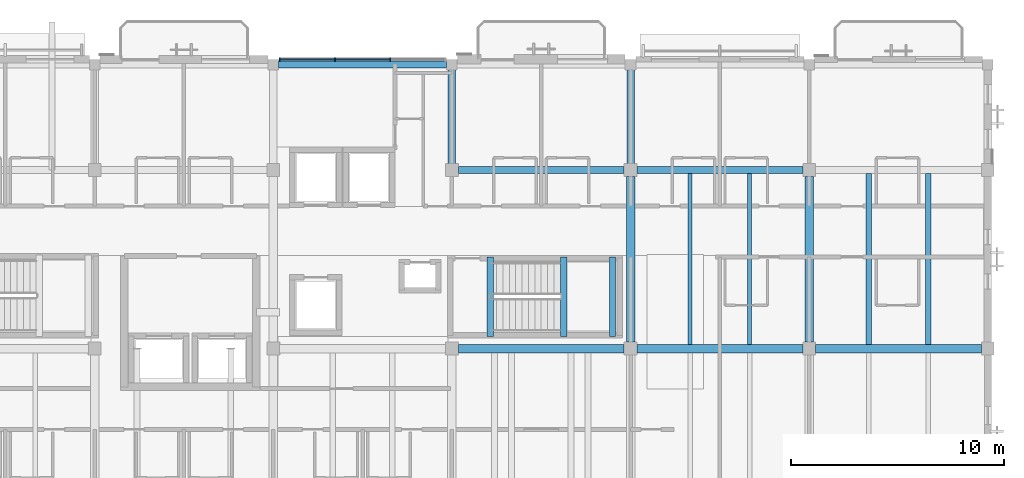
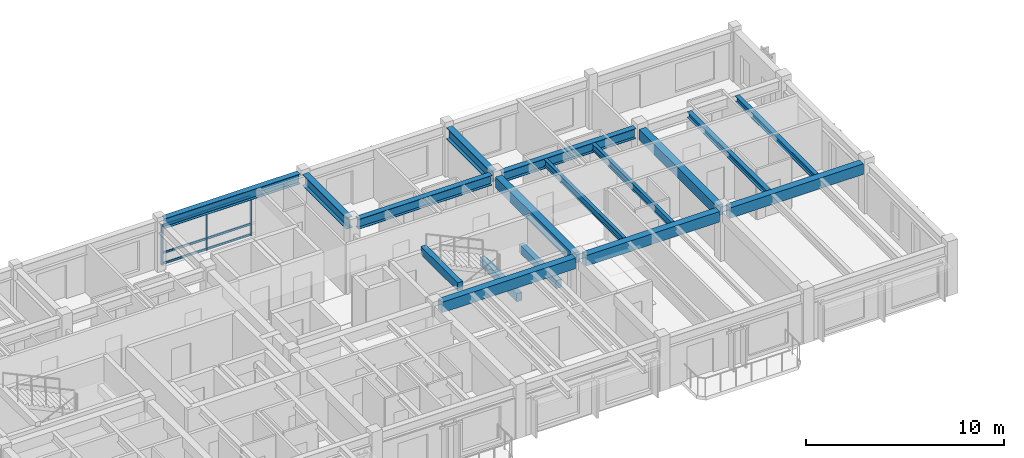
# One storey, part 3 of 31: 17 beams, 9 members, 1 element without a shape of its own.
"""IFC4 building model written with IfcOpenShell, lengths in metres."""

import ifcopenshell
import ifcopenshell.guid

model = None  # the IFC model being written
_history = None  # IfcOwnerHistory: only IFC2X3 demands one
_inside = {}  # id of a spatial element -> (the spatial element, [elements in it])
_under = {}  # id of a project, library or spatial element -> (it, [spatial elements below it])
_declared = {}  # id of a project -> (the project, [libraries it declares])
_typed = {}  # id of a type object -> (the type object, [elements of that type])
_made_of = {}  # id of a material, layer set ... -> (it, [elements and type objects made of it])


def new_model(schema):
    """Start an empty IFC model of exactly this schema.

    Asked for "IFC4X3", IfcOpenShell would pick the latest addendum, in which some entities
    have other attributes; the version numbers below select the first issue.
    IFC2X3 requires an IfcOwnerHistory on every rooted entity: one is made here for all.
    """
    global model, _history
    if schema == "IFC4X3":
        model = ifcopenshell.file(schema_version=(4, 3, 0, 0))
    else:
        model = ifcopenshell.file(schema=schema)
    _inside.clear()
    _under.clear()
    _declared.clear()
    _typed.clear()
    _made_of.clear()
    _history = None
    if model.schema == "IFC2X3":
        org = make("IfcOrganization", Name="unknown")
        user = make(
            "IfcPersonAndOrganization",
            ThePerson=make("IfcPerson", FamilyName="unknown"),
            TheOrganization=org,
        )
        app = make(
            "IfcApplication",
            ApplicationDeveloper=org,
            Version="unknown",
            ApplicationFullName="unknown",
            ApplicationIdentifier="unknown",
        )
        _history = make(
            "IfcOwnerHistory",
            OwningUser=user,
            OwningApplication=app,
            ChangeAction="ADDED",
            CreationDate=0,
        )
    return model


def make(cls, **values):
    """One entity of the class cls with the attributes given. An attribute that is None is left unset."""
    return model.create_entity(
        cls, **{name: value for name, value in values.items() if value is not None}
    )


def rooted(cls, **values):
    """An entity with a GlobalId (a new one), such as an element, a storey or a relation."""
    return make(cls, GlobalId=ifcopenshell.guid.new(), OwnerHistory=_history, **values)


def si_unit(unit_type, name, prefix=None):
    """IfcSIUnit, for example si_unit("LENGTHUNIT", "METRE", prefix="MILLI")."""
    return make("IfcSIUnit", UnitType=unit_type, Prefix=prefix, Name=name)


def assignment(units):
    """IfcUnitAssignment: the units of a project."""
    return None if units is None else make("IfcUnitAssignment", Units=units)


def point(xyz):
    """IfcCartesianPoint."""
    return None if xyz is None else make("IfcCartesianPoint", Coordinates=xyz)


def direction(xyz):
    """IfcDirection."""
    return None if xyz is None else make("IfcDirection", DirectionRatios=xyz)


def frame(location, z_axis=None, x_axis=None):
    """IfcAxis2Placement3D, a coordinate frame: its origin and axes. An axis left out is left unset."""
    return make(
        "IfcAxis2Placement3D",
        Location=point(location),
        Axis=direction(z_axis),
        RefDirection=direction(x_axis),
    )


def frame_2d(location, x_axis=None):
    """IfcAxis2Placement2D, a coordinate frame in the plane: its origin and x axis."""
    return make(
        "IfcAxis2Placement2D", Location=point(location), RefDirection=direction(x_axis)
    )


def origin():
    """The frame at (0, 0, 0) with its axes left unset."""
    return frame((0.0, 0.0, 0.0))


def origin_2d():
    """The frame at (0, 0) in the plane with its x axis left unset."""
    return frame_2d((0.0, 0.0))


def place(relative_to, where):
    """IfcLocalPlacement: puts the frame where relative to a parent placement (None: the world)."""
    return make(
        "IfcLocalPlacement", PlacementRelTo=relative_to, RelativePlacement=where
    )


def context(
    kind, dimensions, precision=None, world=None, true_north=None, identifier=None
):
    """IfcGeometricRepresentationContext, for example the 3D "Model" context."""
    return make(
        "IfcGeometricRepresentationContext",
        ContextIdentifier=identifier,
        ContextType=kind,
        CoordinateSpaceDimension=dimensions,
        Precision=precision,
        WorldCoordinateSystem=world,
        TrueNorth=true_north,
    )


def subcontext(parent, identifier, kind, view, scale=None):
    """IfcGeometricRepresentationSubContext, for example "Body" below "Model"."""
    return make(
        "IfcGeometricRepresentationSubContext",
        ContextIdentifier=identifier,
        ContextType=kind,
        ParentContext=parent,
        TargetScale=scale,
        TargetView=view,
    )


def project(units=None, contexts=None):
    """IfcProject with its units and contexts."""
    return rooted(
        "IfcProject",
        Name="project",
        RepresentationContexts=contexts,
        UnitsInContext=assignment(units),
    )


def spatial(cls, under=None, at=None, **own):
    """A site, building, storey or space (cls), placed at a placement, below another one or the project."""
    s = rooted(cls, ObjectPlacement=at, **own)
    if under is not None:
        _under.setdefault(under.id(), (under, []))[1].append(s)
    return s


def profile(cls, at=None, kind="AREA", **sizes):
    """A parametric profile (cls). Its sizes go by their IFC names, for example OverallWidth=200.0."""
    return make(cls, ProfileType=kind, Position=at, **sizes)


def rectangle(**sizes):
    """IfcRectangleProfileDef."""
    return profile("IfcRectangleProfileDef", **sizes)


def i_section(**sizes):
    """IfcIShapeProfileDef."""
    return profile("IfcIShapeProfileDef", **sizes)


def extrude(swept, where, along, depth):
    """IfcExtrudedAreaSolid: the profile swept, set in the frame where, extruded along a direction by depth."""
    return make(
        "IfcExtrudedAreaSolid",
        SweptArea=swept,
        Position=where,
        ExtrudedDirection=direction(along),
        Depth=depth,
    )


def shape(context_of_items, identifier, shape_type, items):
    """IfcShapeRepresentation: the items that make up one representation, for example the "Body"."""
    return make(
        "IfcShapeRepresentation",
        ContextOfItems=context_of_items,
        RepresentationIdentifier=identifier,
        RepresentationType=shape_type,
        Items=items,
    )


def material(Name=None, Category=None):
    """IfcMaterial."""
    return make("IfcMaterial", Name=Name, Category=Category)


def material_profile(
    of_material, cross_section, Name=None, Category=None, Priority=None
):
    """IfcMaterialProfile: a cross section and its material."""
    return make(
        "IfcMaterialProfile",
        Name=Name,
        Material=of_material,
        Profile=cross_section,
        Priority=Priority,
        Category=Category,
    )


def profile_set(profiles, Name=None, composite=None):
    """IfcMaterialProfileSet."""
    return make(
        "IfcMaterialProfileSet",
        Name=Name,
        MaterialProfiles=profiles,
        CompositeProfile=composite,
    )


def made_of(thing, what):
    """Note that an element or type object is made of a material, layer set ...; save() writes the relation."""
    if what is not None:
        _made_of.setdefault(what.id(), (what, []))[1].append(thing)
    return thing


def type_object(cls, material=None, **own):
    """A type object (cls), such as IfcWallType, which elements share."""
    return made_of(rooted(cls, **own), material)


def element(
    cls,
    number,
    at=None,
    inside=None,
    cuts=None,
    type_object=None,
    material=None,
    context=None,
    identifier="Body",
    shape_type=None,
    held_by="IfcProductDefinitionShape",
    body=None,
    shapes=None,
    **own,
):
    """One element of the class cls, such as IfcWall. Its Tag is "e" and its number.

    at: its placement. inside: the storey or other place that contains it. cuts: it is an
    opening in that element (IfcRelVoidsElement). A single representation is given by context,
    identifier, shape_type and body (its items); several are given by shapes. held_by: the class
    of the entity that holds the representations. save() writes the other relations.
    """
    e = rooted(cls, Tag="e%d" % number, ObjectPlacement=at, **own)
    if body is not None:
        shapes = [shape(context, identifier, shape_type, body)]
    if shapes is not None:
        e.Representation = make(held_by, Representations=shapes)
    if inside is not None:
        _inside.setdefault(inside.id(), (inside, []))[1].append(e)
    if cuts is not None:
        rooted(
            "IfcRelVoidsElement", RelatingBuildingElement=cuts, RelatedOpeningElement=e
        )
    if type_object is not None:
        _typed.setdefault(type_object.id(), (type_object, []))[1].append(e)
    return made_of(e, material)


def aggregate(whole, parts):
    """IfcRelAggregates: a whole, such as a stair, and the parts it consists of."""
    return rooted("IfcRelAggregates", RelatingObject=whole, RelatedObjects=parts)


def save(model, path):
    """Write the relations noted so far, then the file.

    IfcRelAggregates (storeys below a building ...), IfcRelContainedInSpatialStructure (elements
    in a storey), IfcRelDefinesByType, IfcRelAssociatesMaterial and IfcRelDeclares: one each for
    every whole, place, type object, material and project.
    """
    for whole, parts in _under.values():
        aggregate(whole, parts)
    for where, things in _inside.values():
        rooted(
            "IfcRelContainedInSpatialStructure",
            RelatedElements=things,
            RelatingStructure=where,
        )
    for kind, things in _typed.values():
        rooted("IfcRelDefinesByType", RelatedObjects=things, RelatingType=kind)
    for what, things in _made_of.values():
        rooted("IfcRelAssociatesMaterial", RelatedObjects=things, RelatingMaterial=what)
    for by, libraries in _declared.values():
        rooted("IfcRelDeclares", RelatingContext=by, RelatedDefinitions=libraries)
    model.write(path)


model = new_model("IFC4")

# Units and contexts
model_context = context("Model", 3, precision=1e-05, world=origin(), true_north=direction((0.0, 1.0)))
body_context = subcontext(model_context, "Body", "Model", "MODEL_VIEW")
ifc_project = project(units=[si_unit("LENGTHUNIT", "METRE"), si_unit("AREAUNIT", "SQUARE_METRE"), si_unit("VOLUMEUNIT", "CUBIC_METRE"), si_unit("PLANEANGLEUNIT", "RADIAN"), si_unit("MASSUNIT", "GRAM", prefix="KILO")], contexts=[model_context])

# Site, building, storey
site_placement = place(None, origin())
site = spatial("IfcSite", under=ifc_project, at=site_placement, CompositionType="ELEMENT")
building_placement = place(site_placement, origin())
building = spatial("IfcBuilding", under=site, at=building_placement, Name="Cumbredor Promenade Congress Hotel", CompositionType="ELEMENT")
storey_placement = place(building_placement, frame((0.0, 0.0, 31.919921875)))
storey = spatial("IfcBuildingStorey", under=building, at=storey_placement, Name="L09", CompositionType="ELEMENT", Elevation=31.919921875)

# Beams
ifc_material_1 = material(Name="Concrete C40/50", Category="concrete")
ifc_material_profile_1 = material_profile(ifc_material_1, rectangle(XDim=0.39990234375, YDim=0.64990234375, at=origin_2d()), Name="RC BEAM 400x650")
ifc_profile_set_1 = profile_set([ifc_material_profile_1], Name="Concrete C40/50")
beam_type_1 = type_object("IfcBeamType", Name="BM-RC-400x650", PredefinedType="BEAM", material=ifc_profile_set_1)
for number, where, z_axis, x_axis, name in (
    (1, (42.300048828125, 100.800048828125, 2.775146484375), (1.0, 0.0, 0.0), (0.0, 1.0, 0.0), "L10 X-Grid Beam 023"),
    (2, (50.699951171875, 100.800048828125, 2.715087890625), (1.0, 0.0, 0.0), (0.0, 1.0, 0.0), "L10 X-Grid Beam 028"),
):
    element("IfcBeam", number, at=place(storey_placement, frame(where, z_axis=z_axis, x_axis=x_axis)), inside=storey, type_object=beam_type_1, Name=name, PredefinedType="BEAM", context=body_context, shape_type="SweptSolid", body=[
        extrude(rectangle(XDim=0.39990234375, YDim=0.64990234375, at=origin_2d()), origin(), (0.0, 0.0, 1.0), 7.800048828125),
    ])
for number, where, z_axis, x_axis, name in (
    (3, (50.39990234375, 101.10009765625, 2.715087890625), (0.0, 1.0, 0.0), (-1.0, 0.0, 0.0), "L10 Y-Grid Beam 029"),
    (4, (59.10009765625, 100.800048828125, 2.715087890625), (1.0, 0.0, 0.0), (0.0, 1.0, 0.0), "L10 X-Grid Beam 034"),
    (5, (58.800048828125, 101.10009765625, 2.715087890625), (0.0, 1.0, 0.0), (-1.0, 0.0, 0.0), "L10 Y-Grid Beam 035"),
):
    element("IfcBeam", number, at=place(storey_placement, frame(where, z_axis=z_axis, x_axis=x_axis)), inside=storey, type_object=beam_type_1, Name=name, PredefinedType="BEAM", context=body_context, shape_type="SweptSolid", body=[
        extrude(rectangle(XDim=0.39990234375, YDim=0.64990234375, at=origin_2d()), origin(), (0.0, 0.0, 1.0), 7.7998046875),
    ])
ifc_material_2 = material(Name="Steel ASTM A992 Grade 50", Category="steel")
ifc_material_profile_2 = material_profile(ifc_material_2, i_section(OverallWidth=0.323974609375, OverallDepth=0.611083984375, WebThickness=0.0126953125, FlangeThickness=0.01904296875, at=origin_2d()), Name="W24X104")
ifc_profile_set_2 = profile_set([ifc_material_profile_2], Name="Steel ASTM A992 Grade 50")
beam_type_2 = type_object("IfcBeamType", Name="BM-W24X104", PredefinedType="BEAM", material=ifc_profile_set_2)
beam_placement = place(storey_placement, frame((33.85009765625, 114.14990234375, 2.794677734375), z_axis=(1.0, 0.0, 0.0), x_axis=(0.0, 1.0, 0.0)))
element("IfcBeam", 6, at=beam_placement, inside=storey, type_object=beam_type_2, Name="L10 X-Grid Beam 020", PredefinedType="BEAM", context=body_context, shape_type="SweptSolid", body=[
    extrude(i_section(OverallWidth=0.323974609375, OverallDepth=0.611083984375, WebThickness=0.0126953125, FlangeThickness=0.01904296875, at=origin_2d()), origin(), (0.0, 0.0, 1.0), 7.89990234375),
])
for number, where, z_axis, x_axis, name in (
    (7, (42.300048828125, 109.199951171875, 2.794677734375), (1.0, 0.0, 0.0), (0.0, 1.0, 0.0), "L10 X-Grid Beam 024"),
    (8, (50.699951171875, 109.199951171875, 2.734619140625), (1.0, 0.0, 0.0), (0.0, 1.0, 0.0), "L10 X-Grid Beam 030"),
):
    element("IfcBeam", number, at=place(storey_placement, frame(where, z_axis=z_axis, x_axis=x_axis)), inside=storey, type_object=beam_type_2, Name=name, PredefinedType="BEAM", context=body_context, shape_type="SweptSolid", body=[
        extrude(i_section(OverallWidth=0.323974609375, OverallDepth=0.611083984375, WebThickness=0.0126953125, FlangeThickness=0.01904296875, at=origin_2d()), origin(), (0.0, 0.0, 1.0), 7.800048828125),
    ])
ifc_material_profile_3 = material_profile(ifc_material_2, i_section(OverallWidth=0.35498046875, OverallDepth=0.695068359375, WebThickness=0.015380859375, FlangeThickness=0.02490234375, at=origin_2d()), Name="W27X146")
ifc_profile_set_3 = profile_set([ifc_material_profile_3], Name="Steel ASTM A992 Grade 50")
beam_type_3 = type_object("IfcBeamType", Name="BM-W27X146", PredefinedType="BEAM", material=ifc_profile_set_3)
for number, where, z_axis, x_axis, name in (
    (9, (42.0, 109.449951171875, 2.752685546875), (0.0, 1.0, 0.0), (-1.0, 0.0, 0.0), "L10 North Veranda Back-Spanned Cantilever Girder X42"),
    (10, (50.39990234375, 109.449951171875, 2.692626953125), (0.0, 1.0, 0.0), (-1.0, 0.0, 0.0), "L10 North Veranda Back-Spanned Cantilever Girder X50"),
):
    element("IfcBeam", number, at=place(storey_placement, frame(where, z_axis=z_axis, x_axis=x_axis)), inside=storey, type_object=beam_type_3, Name=name, PredefinedType="BEAM", context=body_context, shape_type="SweptSolid", body=[
        extrude(i_section(OverallWidth=0.35498046875, OverallDepth=0.695068359375, WebThickness=0.015380859375, FlangeThickness=0.02490234375, at=origin_2d()), origin(), (0.0, 0.0, 1.0), 4.469970703125),
    ])

# Curtain wall, members
ifc_material_3 = material(Name="Thermally broken anodized aluminium and low-E glass", Category="aluminium")
curtain_wall_type = type_object("IfcCurtainWallType", Name="Unitised Bronze Curtain Wall CW-01", PredefinedType="NOTDEFINED", material=ifc_material_3)
curtain_wall_placement = place(storey_placement, origin())
curtain_wall = element("IfcCurtainWall", 11, at=curtain_wall_placement, inside=storey, type_object=curtain_wall_type, Name="L09 Stepped Congress Hotel Wing North Curtain Wall 4", PredefinedType="NOTDEFINED")
ifc_material_4 = material(Name="Thermally broken anodized aluminium", Category="aluminium")
ifc_material_profile_4 = material_profile(ifc_material_4, rectangle(XDim=0.06494140625, YDim=0.159912109375, at=origin_2d()), Name="ALU MULLION 65x160")
ifc_profile_set_4 = profile_set([ifc_material_profile_4], Name="Thermally broken anodized aluminium")
member_type_1 = type_object("IfcMemberType", Name="Curtain Wall Mullion ML-01", PredefinedType="MULLION", material=ifc_profile_set_4)
member_1_placement = place(storey_placement, frame((33.905029296875, 114.39990234375, -0.0078125), z_axis=(0.0, 0.0, 1.0), x_axis=(1.0, 0.0, 0.0)))
member_1 = element("IfcMember", 12, at=member_1_placement, type_object=member_type_1, Name="L09 Stepped Congress Hotel Wing North Curtain Wall 4 Mullion 1", PredefinedType="MULLION", context=body_context, shape_type="SweptSolid", body=[
    extrude(rectangle(XDim=0.06494140625, YDim=0.159912109375, at=origin_2d()), origin(), (0.0, 0.0, 1.0), 2.489990234375),
])
member_2_placement = place(storey_placement, frame((36.501708984375, 114.39990234375, -0.0078125), z_axis=(0.0, 0.0, 1.0), x_axis=(1.0, 0.0, 0.0)))
member_2 = element("IfcMember", 13, at=member_2_placement, type_object=member_type_1, Name="L09 Stepped Congress Hotel Wing North Curtain Wall 4 Mullion 2", PredefinedType="MULLION", context=body_context, shape_type="SweptSolid", body=[
    extrude(rectangle(XDim=0.06494140625, YDim=0.159912109375, at=origin_2d()), origin(), (0.0, 0.0, 1.0), 2.489990234375),
])
member_3_placement = place(storey_placement, frame((39.098388671875, 114.39990234375, -0.0078125), z_axis=(0.0, 0.0, 1.0), x_axis=(1.0, 0.0, 0.0)))
member_3 = element("IfcMember", 14, at=member_3_placement, type_object=member_type_1, Name="L09 Stepped Congress Hotel Wing North Curtain Wall 4 Mullion 3", PredefinedType="MULLION", context=body_context, shape_type="SweptSolid", body=[
    extrude(rectangle(XDim=0.06494140625, YDim=0.159912109375, at=origin_2d()), origin(), (0.0, 0.0, 1.0), 2.489990234375),
])
ifc_material_profile_5 = material_profile(ifc_material_4, rectangle(XDim=0.06494140625, YDim=0.1298828125, at=origin_2d()), Name="ALU TRANSOM 65x130")
ifc_profile_set_5 = profile_set([ifc_material_profile_5], Name="Thermally broken anodized aluminium")
member_type_2 = type_object("IfcMemberType", Name="Curtain Wall Transom TR-01", PredefinedType="USERDEFINED", material=ifc_profile_set_5)
member_4_placement = place(storey_placement, frame((33.9375, 114.39990234375, 0.070068359375), z_axis=(1.0, 0.0, 0.0), x_axis=(0.0, 1.0, 0.0)))
member_4 = element("IfcMember", 15, at=member_4_placement, type_object=member_type_2, Name="L09 Stepped Congress Hotel Wing North Curtain Wall 4 Transom 1.1", ObjectType="TRANSOM", PredefinedType="USERDEFINED", context=body_context, shape_type="SweptSolid", body=[
    extrude(rectangle(XDim=0.06494140625, YDim=0.1298828125, at=origin_2d()), origin(), (0.0, 0.0, 1.0), 2.53173828125),
])
member_5_placement = place(storey_placement, frame((33.9375, 114.39990234375, 0.719970703125), z_axis=(1.0, 0.0, 0.0), x_axis=(0.0, 1.0, 0.0)))
member_5 = element("IfcMember", 16, at=member_5_placement, type_object=member_type_2, Name="L09 Stepped Congress Hotel Wing North Curtain Wall 4 Transom 1.2", ObjectType="TRANSOM", PredefinedType="USERDEFINED", context=body_context, shape_type="SweptSolid", body=[
    extrude(rectangle(XDim=0.06494140625, YDim=0.1298828125, at=origin_2d()), origin(), (0.0, 0.0, 1.0), 2.53173828125),
])
member_6_placement = place(storey_placement, frame((33.9375, 114.39990234375, 2.41015625), z_axis=(1.0, 0.0, 0.0), x_axis=(0.0, 1.0, 0.0)))
member_6 = element("IfcMember", 17, at=member_6_placement, type_object=member_type_2, Name="L09 Stepped Congress Hotel Wing North Curtain Wall 4 Transom 1.3", ObjectType="TRANSOM", PredefinedType="USERDEFINED", context=body_context, shape_type="SweptSolid", body=[
    extrude(rectangle(XDim=0.06494140625, YDim=0.1298828125, at=origin_2d()), origin(), (0.0, 0.0, 1.0), 2.53173828125),
])
member_7_placement = place(storey_placement, frame((36.5341796875, 114.39990234375, 0.070068359375), z_axis=(1.0, 0.0, 0.0), x_axis=(0.0, 1.0, 0.0)))
member_7 = element("IfcMember", 18, at=member_7_placement, type_object=member_type_2, Name="L09 Stepped Congress Hotel Wing North Curtain Wall 4 Transom 2.1", ObjectType="TRANSOM", PredefinedType="USERDEFINED", context=body_context, shape_type="SweptSolid", body=[
    extrude(rectangle(XDim=0.06494140625, YDim=0.1298828125, at=origin_2d()), origin(), (0.0, 0.0, 1.0), 2.53173828125),
])
member_8_placement = place(storey_placement, frame((36.5341796875, 114.39990234375, 0.719970703125), z_axis=(1.0, 0.0, 0.0), x_axis=(0.0, 1.0, 0.0)))
member_8 = element("IfcMember", 19, at=member_8_placement, type_object=member_type_2, Name="L09 Stepped Congress Hotel Wing North Curtain Wall 4 Transom 2.2", ObjectType="TRANSOM", PredefinedType="USERDEFINED", context=body_context, shape_type="SweptSolid", body=[
    extrude(rectangle(XDim=0.06494140625, YDim=0.1298828125, at=origin_2d()), origin(), (0.0, 0.0, 1.0), 2.53173828125),
])
member_9_placement = place(storey_placement, frame((36.5341796875, 114.39990234375, 2.41015625), z_axis=(1.0, 0.0, 0.0), x_axis=(0.0, 1.0, 0.0)))
member_9 = element("IfcMember", 20, at=member_9_placement, type_object=member_type_2, Name="L09 Stepped Congress Hotel Wing North Curtain Wall 4 Transom 2.3", ObjectType="TRANSOM", PredefinedType="USERDEFINED", context=body_context, shape_type="SweptSolid", body=[
    extrude(rectangle(XDim=0.06494140625, YDim=0.1298828125, at=origin_2d()), origin(), (0.0, 0.0, 1.0), 2.53173828125),
])
aggregate(curtain_wall, [member_1, member_2, member_3, member_4, member_5, member_6, member_7, member_8, member_9])

# Beams
ifc_material_profile_6 = material_profile(ifc_material_2, i_section(OverallWidth=0.2548828125, OverallDepth=0.35693359375, WebThickness=0.010498046875, FlangeThickness=0.018310546875, at=origin_2d()), Name="W14X68")
ifc_profile_set_6 = profile_set([ifc_material_profile_6], Name="Steel ASTM A992 Grade 50")
beam_type_4 = type_object("IfcBeamType", Name="JST-W14X68", PredefinedType="JOIST", material=ifc_profile_set_6)
for number, where, z_axis, x_axis, name in (
    (21, (61.60009765625, 101.0, 2.861572265625), (0.0, 1.0, 0.0), (-1.0, 0.0, 0.0), "L10 Secondary Floor Joist 0015"),
    (22, (64.39990234375, 101.0, 2.861572265625), (0.0, 1.0, 0.0), (-1.0, 0.0, 0.0), "L10 Secondary Floor Joist 0016"),
):
    element("IfcBeam", number, at=place(storey_placement, frame(where, z_axis=z_axis, x_axis=x_axis)), inside=storey, type_object=beam_type_4, Name=name, PredefinedType="JOIST", context=body_context, shape_type="SweptSolid", body=[
        extrude(i_section(OverallWidth=0.2548828125, OverallDepth=0.35693359375, WebThickness=0.010498046875, FlangeThickness=0.018310546875, at=origin_2d()), origin(), (0.0, 0.0, 1.0), 8.0380859375),
    ])
ifc_material_profile_7 = material_profile(ifc_material_2, i_section(OverallWidth=0.180908203125, OverallDepth=0.4169921875, WebThickness=0.010986328125, FlangeThickness=0.018310546875, at=origin_2d()), Name="W16X57")
ifc_profile_set_7 = profile_set([ifc_material_profile_7], Name="Steel ASTM A992 Grade 50")
beam_type_5 = type_object("IfcBeamType", Name="JST-W16X57", PredefinedType="JOIST", material=ifc_profile_set_7)
for number, where, z_axis, x_axis, name in (
    (23, (53.199951171875, 101.0, 2.83154296875), (0.0, 1.0, 0.0), (-1.0, 0.0, 0.0), "L10 Secondary Floor Joist 0011"),
    (24, (56.0, 101.0, 2.83154296875), (0.0, 1.0, 0.0), (-1.0, 0.0, 0.0), "L10 Secondary Floor Joist 0012"),
):
    element("IfcBeam", number, at=place(storey_placement, frame(where, z_axis=z_axis, x_axis=x_axis)), inside=storey, type_object=beam_type_5, Name=name, PredefinedType="JOIST", context=body_context, shape_type="SweptSolid", body=[
        extrude(i_section(OverallWidth=0.180908203125, OverallDepth=0.4169921875, WebThickness=0.010986328125, FlangeThickness=0.018310546875, at=origin_2d()), origin(), (0.0, 0.0, 1.0), 8.0380859375),
    ])
ifc_material_profile_8 = material_profile(ifc_material_1, rectangle(XDim=0.300048828125, YDim=0.5, at=origin_2d()), Name="RC LINTEL 300x500")
ifc_profile_set_8 = profile_set([ifc_material_profile_8], Name="Concrete C40/50")
beam_type_6 = type_object("IfcBeamType", Name="LN-RC-300x500", PredefinedType="LINTEL", material=ifc_profile_set_8)
for number, where, z_axis, x_axis, name in (
    (25, (49.550048828125, 101.3701171875, 1.22998046875), (0.0, 1.0, 0.0), (-1.0, 0.0, 0.0), "L09 Stair ST-03 Landing Ledger Beam E"),
    (26, (47.25, 101.3701171875, 1.22998046875), (0.0, 1.0, 0.0), (-1.0, 0.0, 0.0), "L09 Stair ST-03 Landing Ledger Beam W"),
    (27, (43.800048828125, 101.3701171875, 3.110107421875), (0.0, 1.0, 0.0), (-1.0, 0.0, 0.0), "L10 Stair ST-03 Well Header Trimmer Beam"),
):
    element("IfcBeam", number, at=place(storey_placement, frame(where, z_axis=z_axis, x_axis=x_axis)), inside=storey, type_object=beam_type_6, Name=name, PredefinedType="LINTEL", context=body_context, shape_type="SweptSolid", body=[
        extrude(rectangle(XDim=0.300048828125, YDim=0.5, at=origin_2d()), origin(), (0.0, 0.0, 1.0), 3.72998046875),
    ])

save(model, "model.ifc")
